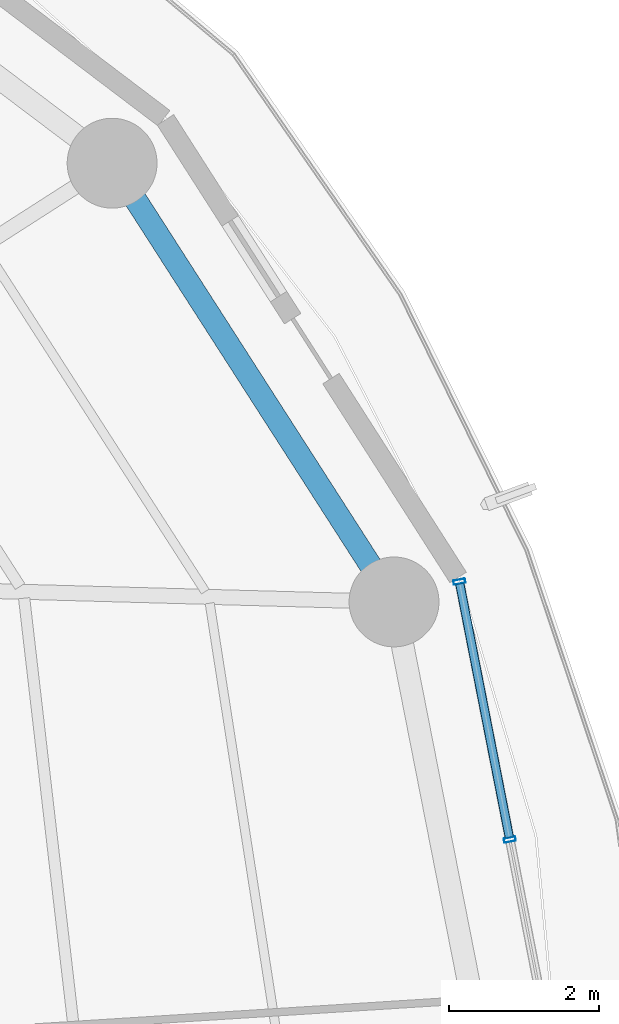
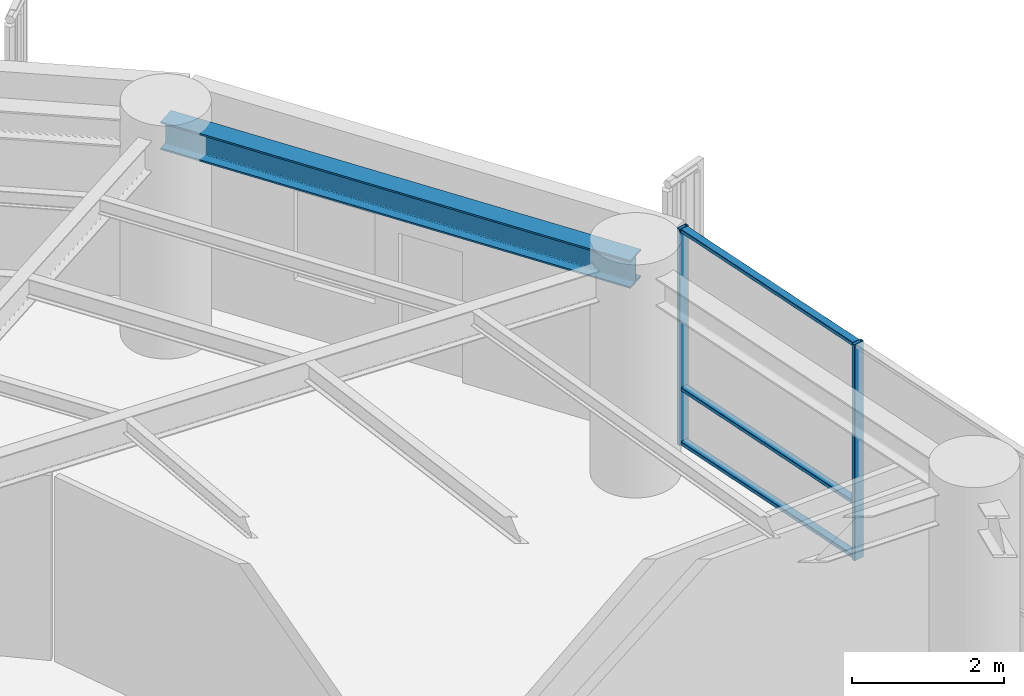
# One storey, part 15 of 28: 5 members, 1 beam, 1 element without a shape of its own.
"""IFC4 building model written with IfcOpenShell, lengths in metres."""

from ifc_helpers import new_model, si_unit, direction, frame, origin, origin_2d, place, context, subcontext, project, spatial, hollow_rectangle, i_section, extrude, material, layer, layer_set, material_profile, profile_set, type_object, element, aggregate, save


model = new_model("IFC4")

# Units and contexts
model_context = context("Model", 3, precision=1e-05, world=origin(), true_north=direction((0.0, 1.0)))
body_context = subcontext(model_context, "Body", "Model", "MODEL_VIEW")
ifc_project = project(units=[si_unit("LENGTHUNIT", "METRE"), si_unit("AREAUNIT", "SQUARE_METRE"), si_unit("VOLUMEUNIT", "CUBIC_METRE"), si_unit("PLANEANGLEUNIT", "RADIAN"), si_unit("MASSUNIT", "GRAM", prefix="KILO")], contexts=[model_context])

# Site, building, storey
site_placement = place(None, origin())
site = spatial("IfcSite", under=ifc_project, at=site_placement, CompositionType="ELEMENT")
building_placement = place(site_placement, origin())
building = spatial("IfcBuilding", under=site, at=building_placement, Name="Kelanora Arch Commons", CompositionType="ELEMENT")
storey_placement = place(building_placement, frame((0.0, 0.0, 161.85009765625)))
storey = spatial("IfcBuildingStorey", under=building, at=storey_placement, Name="L41", CompositionType="ELEMENT", Elevation=161.85009765625)

# Beam
ifc_material_1 = material(Name="Steel S355", Category="steel")
ifc_material_profile_1 = material_profile(ifc_material_1, i_section(OverallWidth=0.300048828125, OverallDepth=0.449951171875, WebThickness=0.013916015625, FlangeThickness=0.02587890625, FilletRadius=0.027099609375, at=origin_2d()), Name="HEB450")
ifc_profile_set_1 = profile_set([ifc_material_profile_1], Name="Steel S355")
beam_type = type_object("IfcBeamType", Name="BM-SPN-Z3", PredefinedType="SPANDREL", material=ifc_profile_set_1)
beam_placement = place(storey_placement, frame((94.37255859375, 64.66259765625, 3.264892578125), z_axis=(-0.540576852469, 0.841294637196, 0.0), x_axis=(-0.841294637196, -0.540576852469, 0.0)))
element("IfcBeam", 1, at=beam_placement, inside=storey, type_object=beam_type, Name="Perimeter Spandrel Beam BS-02 L41", PredefinedType="SPANDREL", context=body_context, shape_type="SweptSolid", body=[
    extrude(i_section(OverallWidth=0.300048828125, OverallDepth=0.449951171875, WebThickness=0.013916015625, FlangeThickness=0.02587890625, FilletRadius=0.027099609375, at=origin_2d()), origin(), (0.0, 0.0, 1.0), 6.964111328125),
])

# Curtain wall, members
ifc_material_2 = material(Name="Terracotta ceramic-fritted low-E glass and aluminium", Category="masonry")
ifc_layer = layer(ifc_material_2, 0.175048828125)
ifc_layer_set = layer_set([ifc_layer], Name="Terracotta ceramic-fritted low-E glass and aluminium")
curtain_wall_type = type_object("IfcCurtainWallType", Name="CW-SYS-02", PredefinedType="NOTDEFINED", material=ifc_layer_set)
curtain_wall_placement = place(storey_placement, origin())
curtain_wall = element("IfcCurtainWall", 2, at=curtain_wall_placement, inside=storey, type_object=curtain_wall_type, Name="Unitised Curtain Wall L41-B00", PredefinedType="NOTDEFINED")
ifc_material_3 = material(Name="Powder-coated aluminium terracotta", Category="masonry")
ifc_material_profile_2 = material_profile(ifc_material_3, hollow_rectangle(XDim=0.159912109375, YDim=0.06005859375, WallThickness=0.0048828125, InnerFilletRadius=0.0048828125, OuterFilletRadius=0.010009765625, at=origin_2d()), Name="CWM160x60")
ifc_profile_set_2 = profile_set([ifc_material_profile_2], Name="Powder-coated aluminium terracotta")
member_type_1 = type_object("IfcMemberType", Name="CWM-STD", PredefinedType="MULLION", material=ifc_profile_set_2)
member_1_placement = place(storey_placement, frame((95.91845703125, 61.488525390625, 0.0), z_axis=(0.0, 0.0, 1.0), x_axis=(-0.981452557718, -0.191705182375, 0.0)))
member_1 = element("IfcMember", 3, at=member_1_placement, type_object=member_type_1, Name="CW-02 mullion 2", PredefinedType="MULLION", context=body_context, shape_type="SweptSolid", body=[
    extrude(hollow_rectangle(XDim=0.159912109375, YDim=0.06005859375, WallThickness=0.0048828125, InnerFilletRadius=0.0048828125, OuterFilletRadius=0.010009765625, at=origin_2d()), origin(), (0.0, 0.0, 1.0), 3.474853515625),
])
member_2_placement = place(storey_placement, frame((95.245849609375, 64.93310546875, 0.0), z_axis=(0.0, 0.0, 1.0), x_axis=(-0.981452557718, -0.191705182375, 0.0)))
member_2 = element("IfcMember", 4, at=member_2_placement, type_object=member_type_1, Name="CW-02 mullion 3", PredefinedType="MULLION", context=body_context, shape_type="SweptSolid", body=[
    extrude(hollow_rectangle(XDim=0.159912109375, YDim=0.06005859375, WallThickness=0.0048828125, InnerFilletRadius=0.0048828125, OuterFilletRadius=0.010009765625, at=origin_2d()), origin(), (0.0, 0.0, 1.0), 3.474853515625),
])
ifc_material_profile_3 = material_profile(ifc_material_3, hollow_rectangle(XDim=0.1201171875, YDim=0.06005859375, WallThickness=0.0048828125, InnerFilletRadius=0.0048828125, OuterFilletRadius=0.010009765625, at=origin_2d()), Name="CWT120x60")
ifc_profile_set_3 = profile_set([ifc_material_profile_3], Name="Powder-coated aluminium terracotta")
member_type_2 = type_object("IfcMemberType", Name="CWT-STD", PredefinedType="USERDEFINED", material=ifc_profile_set_3)
member_3_placement = place(storey_placement, frame((95.912841796875, 61.51806640625, 0.02978515625), z_axis=(-0.191731523726, 0.981447412147, 0.0), x_axis=(-0.981447412147, -0.191731523726, 0.0)))
member_3 = element("IfcMember", 5, at=member_3_placement, type_object=member_type_2, Name="CW-02 transom 2.1", ObjectType="TRANSOM", PredefinedType="USERDEFINED", context=body_context, shape_type="SweptSolid", body=[
    extrude(hollow_rectangle(XDim=0.1201171875, YDim=0.06005859375, WallThickness=0.0048828125, InnerFilletRadius=0.0048828125, OuterFilletRadius=0.010009765625, at=origin_2d()), origin(), (0.0, 0.0, 1.0), 3.449462890625),
])
member_4_placement = place(storey_placement, frame((95.912841796875, 61.51806640625, 0.89990234375), z_axis=(-0.191731523726, 0.981447412147, 0.0), x_axis=(-0.981447412147, -0.191731523726, 0.0)))
member_4 = element("IfcMember", 6, at=member_4_placement, type_object=member_type_2, Name="CW-02 transom 2.2", ObjectType="TRANSOM", PredefinedType="USERDEFINED", context=body_context, shape_type="SweptSolid", body=[
    extrude(hollow_rectangle(XDim=0.1201171875, YDim=0.06005859375, WallThickness=0.0048828125, InnerFilletRadius=0.0048828125, OuterFilletRadius=0.010009765625, at=origin_2d()), origin(), (0.0, 0.0, 1.0), 3.449462890625),
])
member_5_placement = place(storey_placement, frame((95.912841796875, 61.51806640625, 3.44482421875), z_axis=(-0.191731523726, 0.981447412147, 0.0), x_axis=(-0.981447412147, -0.191731523726, 0.0)))
member_5 = element("IfcMember", 7, at=member_5_placement, type_object=member_type_2, Name="CW-02 transom 2.3", ObjectType="TRANSOM", PredefinedType="USERDEFINED", context=body_context, shape_type="SweptSolid", body=[
    extrude(hollow_rectangle(XDim=0.1201171875, YDim=0.06005859375, WallThickness=0.0048828125, InnerFilletRadius=0.0048828125, OuterFilletRadius=0.010009765625, at=origin_2d()), origin(), (0.0, 0.0, 1.0), 3.449462890625),
])
aggregate(curtain_wall, [member_1, member_2, member_3, member_4, member_5])

save(model, "model.ifc")
